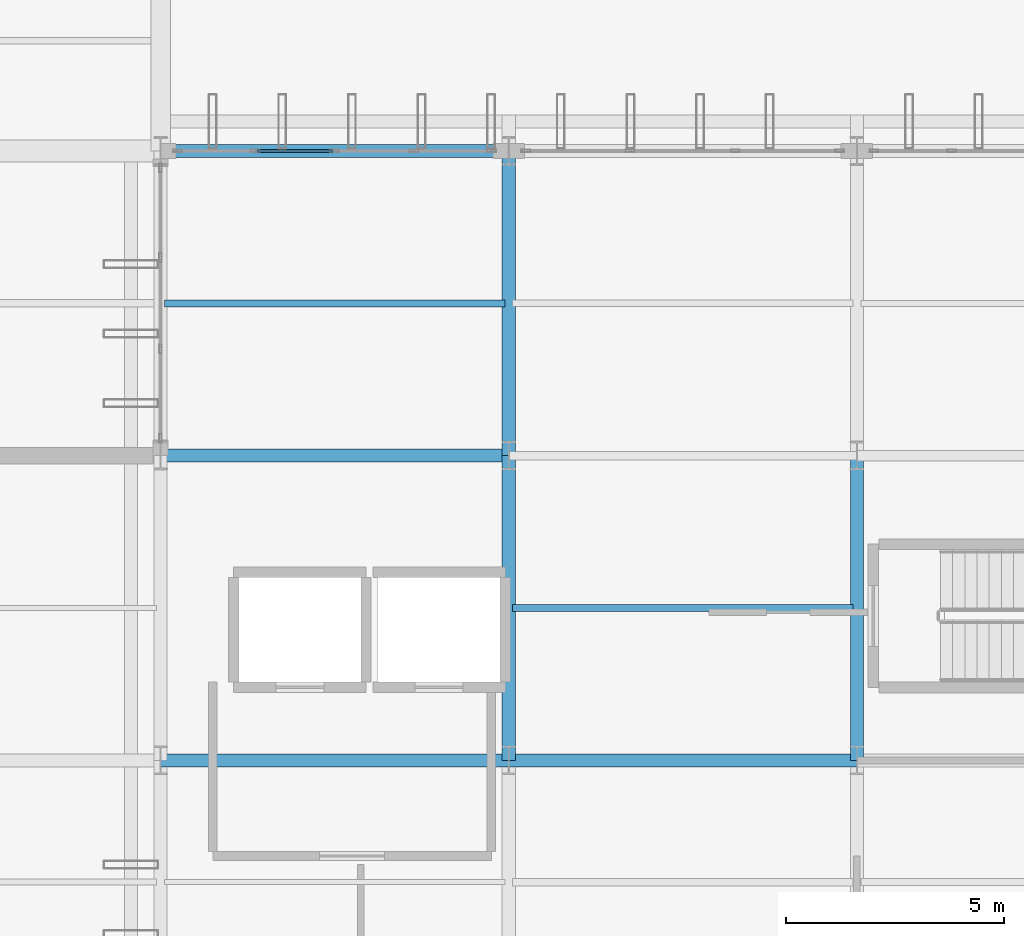
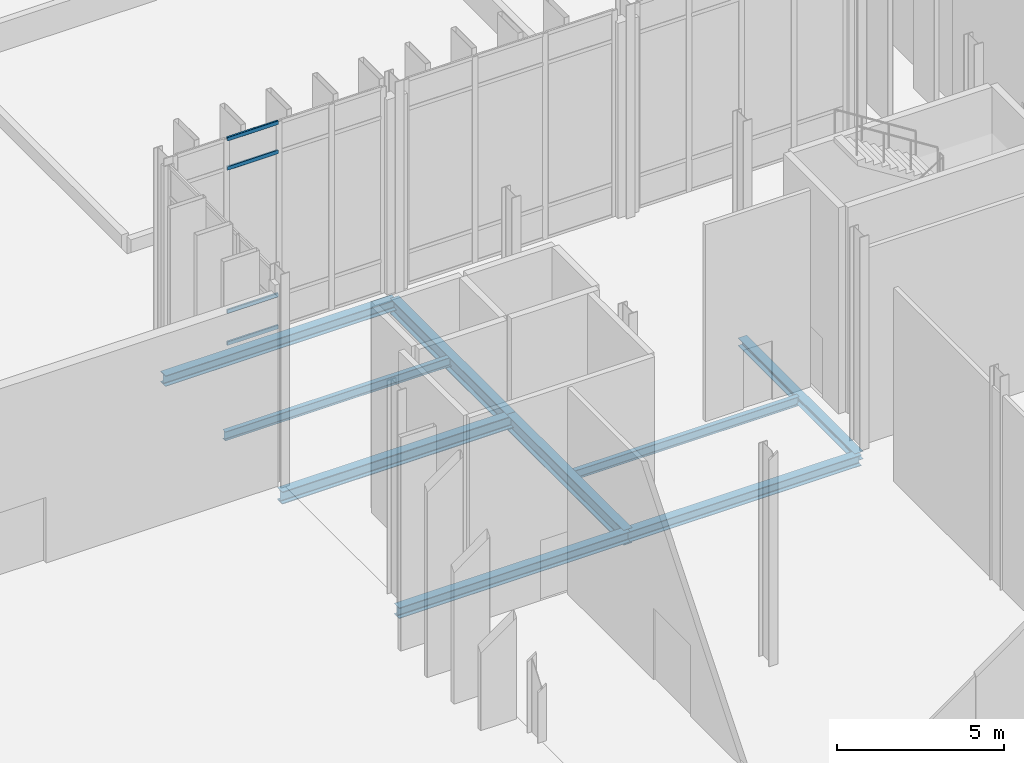
# One storey, part 59 of 176: 9 beams, 4 members, 1 element without a shape of its own.
"""IFC4 building model written with IfcOpenShell, lengths in metres."""

import ifcopenshell
import ifcopenshell.guid

model = None  # the IFC model being written
_history = None  # IfcOwnerHistory: only IFC2X3 demands one
_inside = {}  # id of a spatial element -> (the spatial element, [elements in it])
_under = {}  # id of a project, library or spatial element -> (it, [spatial elements below it])
_declared = {}  # id of a project -> (the project, [libraries it declares])
_typed = {}  # id of a type object -> (the type object, [elements of that type])
_made_of = {}  # id of a material, layer set ... -> (it, [elements and type objects made of it])


def new_model(schema):
    """Start an empty IFC model of exactly this schema.

    Asked for "IFC4X3", IfcOpenShell would pick the latest addendum, in which some entities
    have other attributes; the version numbers below select the first issue.
    IFC2X3 requires an IfcOwnerHistory on every rooted entity: one is made here for all.
    """
    global model, _history
    if schema == "IFC4X3":
        model = ifcopenshell.file(schema_version=(4, 3, 0, 0))
    else:
        model = ifcopenshell.file(schema=schema)
    _inside.clear()
    _under.clear()
    _declared.clear()
    _typed.clear()
    _made_of.clear()
    _history = None
    if model.schema == "IFC2X3":
        org = make("IfcOrganization", Name="unknown")
        user = make(
            "IfcPersonAndOrganization",
            ThePerson=make("IfcPerson", FamilyName="unknown"),
            TheOrganization=org,
        )
        app = make(
            "IfcApplication",
            ApplicationDeveloper=org,
            Version="unknown",
            ApplicationFullName="unknown",
            ApplicationIdentifier="unknown",
        )
        _history = make(
            "IfcOwnerHistory",
            OwningUser=user,
            OwningApplication=app,
            ChangeAction="ADDED",
            CreationDate=0,
        )
    return model


def make(cls, **values):
    """One entity of the class cls with the attributes given. An attribute that is None is left unset."""
    return model.create_entity(
        cls, **{name: value for name, value in values.items() if value is not None}
    )


def rooted(cls, **values):
    """An entity with a GlobalId (a new one), such as an element, a storey or a relation."""
    return make(cls, GlobalId=ifcopenshell.guid.new(), OwnerHistory=_history, **values)


def si_unit(unit_type, name, prefix=None):
    """IfcSIUnit, for example si_unit("LENGTHUNIT", "METRE", prefix="MILLI")."""
    return make("IfcSIUnit", UnitType=unit_type, Prefix=prefix, Name=name)


def assignment(units):
    """IfcUnitAssignment: the units of a project."""
    return None if units is None else make("IfcUnitAssignment", Units=units)


def point(xyz):
    """IfcCartesianPoint."""
    return None if xyz is None else make("IfcCartesianPoint", Coordinates=xyz)


def direction(xyz):
    """IfcDirection."""
    return None if xyz is None else make("IfcDirection", DirectionRatios=xyz)


def frame(location, z_axis=None, x_axis=None):
    """IfcAxis2Placement3D, a coordinate frame: its origin and axes. An axis left out is left unset."""
    return make(
        "IfcAxis2Placement3D",
        Location=point(location),
        Axis=direction(z_axis),
        RefDirection=direction(x_axis),
    )


def frame_2d(location, x_axis=None):
    """IfcAxis2Placement2D, a coordinate frame in the plane: its origin and x axis."""
    return make(
        "IfcAxis2Placement2D", Location=point(location), RefDirection=direction(x_axis)
    )


def origin():
    """The frame at (0, 0, 0) with its axes left unset."""
    return frame((0.0, 0.0, 0.0))


def origin_2d():
    """The frame at (0, 0) in the plane with its x axis left unset."""
    return frame_2d((0.0, 0.0))


def place(relative_to, where):
    """IfcLocalPlacement: puts the frame where relative to a parent placement (None: the world)."""
    return make(
        "IfcLocalPlacement", PlacementRelTo=relative_to, RelativePlacement=where
    )


def context(
    kind, dimensions, precision=None, world=None, true_north=None, identifier=None
):
    """IfcGeometricRepresentationContext, for example the 3D "Model" context."""
    return make(
        "IfcGeometricRepresentationContext",
        ContextIdentifier=identifier,
        ContextType=kind,
        CoordinateSpaceDimension=dimensions,
        Precision=precision,
        WorldCoordinateSystem=world,
        TrueNorth=true_north,
    )


def subcontext(parent, identifier, kind, view, scale=None):
    """IfcGeometricRepresentationSubContext, for example "Body" below "Model"."""
    return make(
        "IfcGeometricRepresentationSubContext",
        ContextIdentifier=identifier,
        ContextType=kind,
        ParentContext=parent,
        TargetScale=scale,
        TargetView=view,
    )


def project(units=None, contexts=None):
    """IfcProject with its units and contexts."""
    return rooted(
        "IfcProject",
        Name="project",
        RepresentationContexts=contexts,
        UnitsInContext=assignment(units),
    )


def spatial(cls, under=None, at=None, **own):
    """A site, building, storey or space (cls), placed at a placement, below another one or the project."""
    s = rooted(cls, ObjectPlacement=at, **own)
    if under is not None:
        _under.setdefault(under.id(), (under, []))[1].append(s)
    return s


def profile(cls, at=None, kind="AREA", **sizes):
    """A parametric profile (cls). Its sizes go by their IFC names, for example OverallWidth=200.0."""
    return make(cls, ProfileType=kind, Position=at, **sizes)


def hollow_rectangle(**sizes):
    """IfcRectangleHollowProfileDef."""
    return profile("IfcRectangleHollowProfileDef", **sizes)


def i_section(**sizes):
    """IfcIShapeProfileDef."""
    return profile("IfcIShapeProfileDef", **sizes)


def extrude(swept, where, along, depth):
    """IfcExtrudedAreaSolid: the profile swept, set in the frame where, extruded along a direction by depth."""
    return make(
        "IfcExtrudedAreaSolid",
        SweptArea=swept,
        Position=where,
        ExtrudedDirection=direction(along),
        Depth=depth,
    )


def shape(context_of_items, identifier, shape_type, items):
    """IfcShapeRepresentation: the items that make up one representation, for example the "Body"."""
    return make(
        "IfcShapeRepresentation",
        ContextOfItems=context_of_items,
        RepresentationIdentifier=identifier,
        RepresentationType=shape_type,
        Items=items,
    )


def material(Name=None, Category=None):
    """IfcMaterial."""
    return make("IfcMaterial", Name=Name, Category=Category)


def layer(
    of_material, thickness, ventilated=None, Name=None, Category=None, Priority=None
):
    """IfcMaterialLayer: one layer of a wall or slab, of a material (None: an air gap)."""
    return make(
        "IfcMaterialLayer",
        Material=of_material,
        LayerThickness=thickness,
        IsVentilated=ventilated,
        Name=Name,
        Category=Category,
        Priority=Priority,
    )


def layer_set(layers, Name=None):
    """IfcMaterialLayerSet."""
    return make("IfcMaterialLayerSet", MaterialLayers=layers, LayerSetName=Name)


def material_profile(
    of_material, cross_section, Name=None, Category=None, Priority=None
):
    """IfcMaterialProfile: a cross section and its material."""
    return make(
        "IfcMaterialProfile",
        Name=Name,
        Material=of_material,
        Profile=cross_section,
        Priority=Priority,
        Category=Category,
    )


def profile_set(profiles, Name=None, composite=None):
    """IfcMaterialProfileSet."""
    return make(
        "IfcMaterialProfileSet",
        Name=Name,
        MaterialProfiles=profiles,
        CompositeProfile=composite,
    )


def made_of(thing, what):
    """Note that an element or type object is made of a material, layer set ...; save() writes the relation."""
    if what is not None:
        _made_of.setdefault(what.id(), (what, []))[1].append(thing)
    return thing


def type_object(cls, material=None, **own):
    """A type object (cls), such as IfcWallType, which elements share."""
    return made_of(rooted(cls, **own), material)


def element(
    cls,
    number,
    at=None,
    inside=None,
    cuts=None,
    type_object=None,
    material=None,
    context=None,
    identifier="Body",
    shape_type=None,
    held_by="IfcProductDefinitionShape",
    body=None,
    shapes=None,
    **own,
):
    """One element of the class cls, such as IfcWall. Its Tag is "e" and its number.

    at: its placement. inside: the storey or other place that contains it. cuts: it is an
    opening in that element (IfcRelVoidsElement). A single representation is given by context,
    identifier, shape_type and body (its items); several are given by shapes. held_by: the class
    of the entity that holds the representations. save() writes the other relations.
    """
    e = rooted(cls, Tag="e%d" % number, ObjectPlacement=at, **own)
    if body is not None:
        shapes = [shape(context, identifier, shape_type, body)]
    if shapes is not None:
        e.Representation = make(held_by, Representations=shapes)
    if inside is not None:
        _inside.setdefault(inside.id(), (inside, []))[1].append(e)
    if cuts is not None:
        rooted(
            "IfcRelVoidsElement", RelatingBuildingElement=cuts, RelatedOpeningElement=e
        )
    if type_object is not None:
        _typed.setdefault(type_object.id(), (type_object, []))[1].append(e)
    return made_of(e, material)


def aggregate(whole, parts):
    """IfcRelAggregates: a whole, such as a stair, and the parts it consists of."""
    return rooted("IfcRelAggregates", RelatingObject=whole, RelatedObjects=parts)


def save(model, path):
    """Write the relations noted so far, then the file.

    IfcRelAggregates (storeys below a building ...), IfcRelContainedInSpatialStructure (elements
    in a storey), IfcRelDefinesByType, IfcRelAssociatesMaterial and IfcRelDeclares: one each for
    every whole, place, type object, material and project.
    """
    for whole, parts in _under.values():
        aggregate(whole, parts)
    for where, things in _inside.values():
        rooted(
            "IfcRelContainedInSpatialStructure",
            RelatedElements=things,
            RelatingStructure=where,
        )
    for kind, things in _typed.values():
        rooted("IfcRelDefinesByType", RelatedObjects=things, RelatingType=kind)
    for what, things in _made_of.values():
        rooted("IfcRelAssociatesMaterial", RelatedObjects=things, RelatingMaterial=what)
    for by, libraries in _declared.values():
        rooted("IfcRelDeclares", RelatingContext=by, RelatedDefinitions=libraries)
    model.write(path)


model = new_model("IFC4")

# Units and contexts
model_context = context("Model", 3, precision=1e-05, world=origin(), true_north=direction((0.0, 1.0)))
body_context = subcontext(model_context, "Body", "Model", "MODEL_VIEW")
ifc_project = project(units=[si_unit("LENGTHUNIT", "METRE"), si_unit("AREAUNIT", "SQUARE_METRE"), si_unit("VOLUMEUNIT", "CUBIC_METRE"), si_unit("PLANEANGLEUNIT", "RADIAN"), si_unit("MASSUNIT", "GRAM", prefix="KILO")], contexts=[model_context])

# Site, building, storey
site_placement = place(None, origin())
site = spatial("IfcSite", under=ifc_project, at=site_placement, CompositionType="ELEMENT")
building_placement = place(site_placement, origin())
building = spatial("IfcBuilding", under=site, at=building_placement, Name="Vekula Escarpment Museum", CompositionType="ELEMENT")
storey_placement = place(building_placement, origin())
storey = spatial("IfcBuildingStorey", under=building, at=storey_placement, Name="L01", CompositionType="ELEMENT", Elevation=0.0)

# Beams
ifc_material_1 = material(Name="Steel S355", Category="steel")
ifc_material_profile_1 = material_profile(ifc_material_1, i_section(OverallWidth=0.300048828125, OverallDepth=0.449951171875, WebThickness=0.013916015625, FlangeThickness=0.02587890625, FilletRadius=0.027099609375, at=origin_2d()), Name="HEB 450")
ifc_profile_set_1 = profile_set([ifc_material_profile_1], Name="Steel S355")
beam_type_1 = type_object("IfcBeamType", Name="BM-GIRD-HEB450", PredefinedType="BEAM", material=ifc_profile_set_1)
beam_1_placement = place(storey_placement, frame((70.0, 83.39990234375, -0.52490234375), z_axis=(1.0, 0.0, 0.0), x_axis=(0.0, 1.0, 0.0)))
element("IfcBeam", 1, at=beam_1_placement, inside=storey, type_object=beam_type_1, Name="Beam X L01 0238", PredefinedType="BEAM", context=body_context, shape_type="SweptSolid", body=[
    extrude(i_section(OverallWidth=0.300048828125, OverallDepth=0.449951171875, WebThickness=0.013916015625, FlangeThickness=0.02587890625, FilletRadius=0.027099609375, at=origin_2d()), origin(), (0.0, 0.0, 1.0), 8.0),
])
ifc_material_2 = material(Name="Steel S355", Category="steel")
ifc_material_profile_2 = material_profile(ifc_material_2, i_section(OverallWidth=0.300048828125, OverallDepth=0.550048828125, WebThickness=0.014892578125, FlangeThickness=0.029052734375, FilletRadius=0.027099609375, at=origin_2d()), Name="HEB 550")
ifc_profile_set_2 = profile_set([ifc_material_profile_2], Name="Steel S355")
beam_type_2 = type_object("IfcBeamType", Name="BM-GIRD-HEB550", PredefinedType="BEAM", material=ifc_profile_set_2)
for number, where, z_axis, x_axis, name in (
    (2, (78.0, 76.39990234375, -0.574951171875), (0.0, 1.0, 0.0), (-1.0, 0.0, 0.0), "Beam Y L01 0559"),
    (3, (78.0, 83.39990234375, -0.574951171875), (0.0, 1.0, 0.0), (-1.0, 0.0, 0.0), "Beam Y L01 0560"),
):
    element("IfcBeam", number, at=place(storey_placement, frame(where, z_axis=z_axis, x_axis=x_axis)), inside=storey, type_object=beam_type_2, Name=name, PredefinedType="BEAM", context=body_context, shape_type="SweptSolid", body=[
        extrude(i_section(OverallWidth=0.300048828125, OverallDepth=0.550048828125, WebThickness=0.014892578125, FlangeThickness=0.029052734375, FilletRadius=0.027099609375, at=origin_2d()), origin(), (0.0, 0.0, 1.0), 7.0),
    ])
ifc_material_3 = material(Name="Steel S355", Category="steel")
ifc_material_profile_3 = material_profile(ifc_material_3, i_section(OverallWidth=0.159912109375, OverallDepth=0.330078125, WebThickness=0.007568359375, FlangeThickness=0.011474609375, FilletRadius=0.01806640625, at=origin_2d()), Name="IPE 330")
ifc_profile_set_3 = profile_set([ifc_material_profile_3], Name="Steel S355")
beam_type_3 = type_object("IfcBeamType", Name="BM-JST-IPE330", PredefinedType="JOIST", material=ifc_profile_set_3)
for number, where, z_axis, x_axis, name in (
    (4, (70.090087890625, 86.89990234375, -0.465087890625), (1.0, 0.0, 0.0), (0.0, 1.0, 0.0), "Secondary Joist L01 0244"),
    (5, (78.090087890625, 79.89990234375, -0.465087890625), (1.0, 0.0, 0.0), (0.0, 1.0, 0.0), "Secondary Joist L01 0263"),
):
    element("IfcBeam", number, at=place(storey_placement, frame(where, z_axis=z_axis, x_axis=x_axis)), inside=storey, type_object=beam_type_3, Name=name, PredefinedType="JOIST", context=body_context, shape_type="SweptSolid", body=[
        extrude(i_section(OverallWidth=0.159912109375, OverallDepth=0.330078125, WebThickness=0.007568359375, FlangeThickness=0.011474609375, FilletRadius=0.01806640625, at=origin_2d()), origin(), (0.0, 0.0, 1.0), 7.81982421875),
    ])
ifc_material_4 = material(Name="Steel S355", Category="steel")
ifc_material_profile_4 = material_profile(ifc_material_4, i_section(OverallWidth=0.300048828125, OverallDepth=0.2900390625, WebThickness=0.008544921875, FlangeThickness=0.013916015625, FilletRadius=0.027099609375, at=origin_2d()), Name="HEA 300")
ifc_profile_set_4 = profile_set([ifc_material_profile_4], Name="Steel S355")
beam_type_4 = type_object("IfcBeamType", Name="BM-SPAN-HEA300", PredefinedType="SPANDREL", material=ifc_profile_set_4)
beam_2_placement = place(storey_placement, frame((86.0, 76.39990234375, -0.445068359375), z_axis=(0.0, 1.0, 0.0), x_axis=(-1.0, 0.0, 0.0)))
element("IfcBeam", 6, at=beam_2_placement, inside=storey, type_object=beam_type_4, Name="Beam Y L01 0571", PredefinedType="SPANDREL", context=body_context, shape_type="SweptSolid", body=[
    extrude(i_section(OverallWidth=0.300048828125, OverallDepth=0.2900390625, WebThickness=0.008544921875, FlangeThickness=0.013916015625, FilletRadius=0.027099609375, at=origin_2d()), origin(), (0.0, 0.0, 1.0), 7.0),
])
ifc_material_5 = material(Name="Steel S355", Category="steel")
ifc_material_profile_5 = material_profile(ifc_material_5, i_section(OverallWidth=0.300048828125, OverallDepth=0.389892578125, WebThickness=0.010986328125, FlangeThickness=0.01904296875, FilletRadius=0.027099609375, at=origin_2d()), Name="HEA 400")
ifc_profile_set_5 = profile_set([ifc_material_profile_5], Name="Steel S355")
beam_type_5 = type_object("IfcBeamType", Name="BM-SPAN-HEA400", PredefinedType="SPANDREL", material=ifc_profile_set_5)
for number, where, z_axis, x_axis, name in (
    (7, (70.0, 76.39990234375, -0.4951171875), (1.0, 0.0, 0.0), (0.0, 1.0, 0.0), "Beam X L01 0215"),
    (8, (78.0, 76.39990234375, -0.4951171875), (1.0, 0.0, 0.0), (0.0, 1.0, 0.0), "Beam X L01 0216"),
    (9, (70.0, 90.39990234375, -0.4951171875), (1.0, 0.0, 0.0), (0.0, 1.0, 0.0), "Beam X L01 0257"),
):
    element("IfcBeam", number, at=place(storey_placement, frame(where, z_axis=z_axis, x_axis=x_axis)), inside=storey, type_object=beam_type_5, Name=name, PredefinedType="SPANDREL", context=body_context, shape_type="SweptSolid", body=[
        extrude(i_section(OverallWidth=0.300048828125, OverallDepth=0.389892578125, WebThickness=0.010986328125, FlangeThickness=0.01904296875, FilletRadius=0.027099609375, at=origin_2d()), origin(), (0.0, 0.0, 1.0), 8.0),
    ])

# Curtain wall, members
ifc_material_6 = material(Name="Aluminium thermally broken framing", Category="aluminium")
ifc_layer = layer(ifc_material_6, 0.159912109375)
ifc_layer_set = layer_set([ifc_layer], Name="Aluminium thermally broken framing")
curtain_wall_type = type_object("IfcCurtainWallType", Name="CW-SYS-01", PredefinedType="NOTDEFINED", material=ifc_layer_set)
curtain_wall_placement = place(storey_placement, origin())
curtain_wall = element("IfcCurtainWall", 10, at=curtain_wall_placement, inside=storey, type_object=curtain_wall_type, Name="Curtain Wall CW-L01-041", PredefinedType="NOTDEFINED")
ifc_material_7 = material(Name="Aluminium anodized transom", Category="aluminium")
ifc_material_profile_6 = material_profile(ifc_material_7, hollow_rectangle(XDim=0.06494140625, YDim=0.139892578125, WallThickness=0.00390625, InnerFilletRadius=0.00390625, OuterFilletRadius=0.008056640625, at=origin_2d()), Name="ALU 140x65x4")
ifc_profile_set_6 = profile_set([ifc_material_profile_6], Name="Aluminium anodized transom")
member_type = type_object("IfcMemberType", Name="CW-TRN-140", PredefinedType="USERDEFINED", material=ifc_profile_set_6)
member_1_placement = place(storey_placement, frame((73.967529296875, 90.39990234375, 0.032470703125), z_axis=(-1.0, 0.0, 0.0), x_axis=(0.0, -1.0, 0.0)))
member_1 = element("IfcMember", 11, at=member_1_placement, type_object=member_type, Name="CW-01 transom 3.1", ObjectType="TRANSOM", PredefinedType="USERDEFINED", context=body_context, shape_type="SweptSolid", body=[
    extrude(hollow_rectangle(XDim=0.06494140625, YDim=0.139892578125, WallThickness=0.00390625, InnerFilletRadius=0.00390625, OuterFilletRadius=0.008056640625, at=origin_2d()), origin(), (0.0, 0.0, 1.0), 1.755126953125),
])
member_2_placement = place(storey_placement, frame((73.967529296875, 90.39990234375, 1.199951171875), z_axis=(-1.0, 0.0, 0.0), x_axis=(0.0, -1.0, 0.0)))
member_2 = element("IfcMember", 12, at=member_2_placement, type_object=member_type, Name="CW-01 transom 3.2", ObjectType="TRANSOM", PredefinedType="USERDEFINED", context=body_context, shape_type="SweptSolid", body=[
    extrude(hollow_rectangle(XDim=0.06494140625, YDim=0.139892578125, WallThickness=0.00390625, InnerFilletRadius=0.00390625, OuterFilletRadius=0.008056640625, at=origin_2d()), origin(), (0.0, 0.0, 1.0), 1.755126953125),
])
member_3_placement = place(storey_placement, frame((73.967529296875, 90.39990234375, 6.43994140625), z_axis=(-1.0, 0.0, 0.0), x_axis=(0.0, -1.0, 0.0)))
member_3 = element("IfcMember", 13, at=member_3_placement, type_object=member_type, Name="CW-01 transom 3.3", ObjectType="TRANSOM", PredefinedType="USERDEFINED", context=body_context, shape_type="SweptSolid", body=[
    extrude(hollow_rectangle(XDim=0.06494140625, YDim=0.139892578125, WallThickness=0.00390625, InnerFilletRadius=0.00390625, OuterFilletRadius=0.008056640625, at=origin_2d()), origin(), (0.0, 0.0, 1.0), 1.755126953125),
])
member_4_placement = place(storey_placement, frame((73.967529296875, 90.39990234375, 7.507568359375), z_axis=(-1.0, 0.0, 0.0), x_axis=(0.0, -1.0, 0.0)))
member_4 = element("IfcMember", 14, at=member_4_placement, type_object=member_type, Name="CW-01 transom 3.4", ObjectType="TRANSOM", PredefinedType="USERDEFINED", context=body_context, shape_type="SweptSolid", body=[
    extrude(hollow_rectangle(XDim=0.06494140625, YDim=0.139892578125, WallThickness=0.00390625, InnerFilletRadius=0.00390625, OuterFilletRadius=0.008056640625, at=origin_2d()), origin(), (0.0, 0.0, 1.0), 1.755126953125),
])
aggregate(curtain_wall, [member_1, member_2, member_3, member_4])

save(model, "model.ifc")
